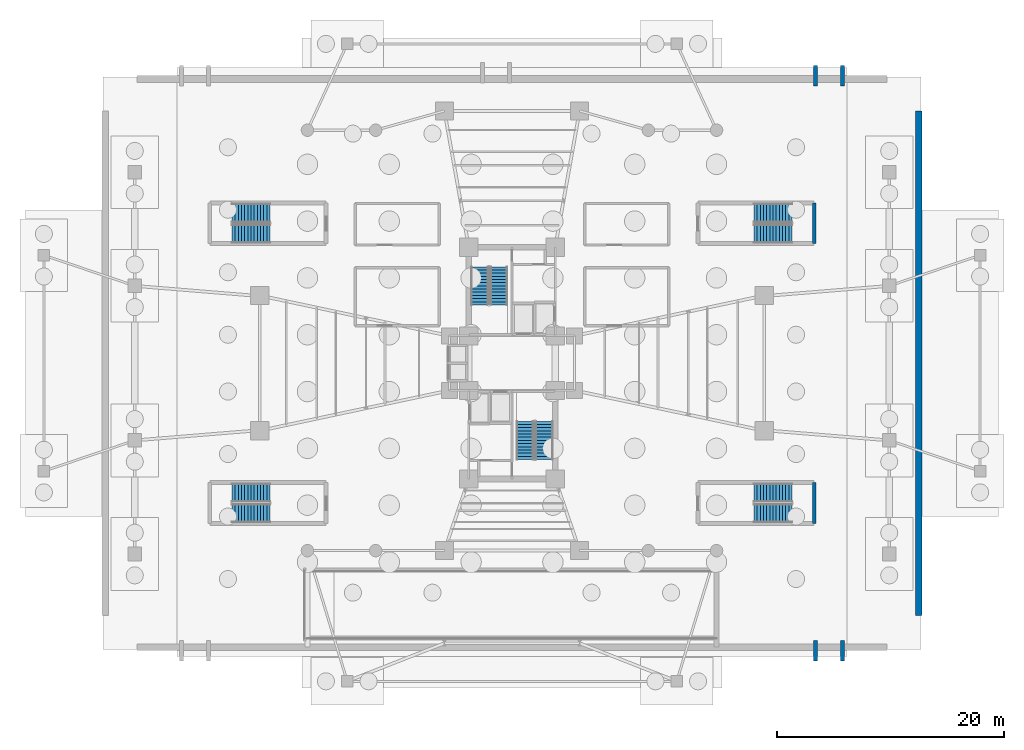
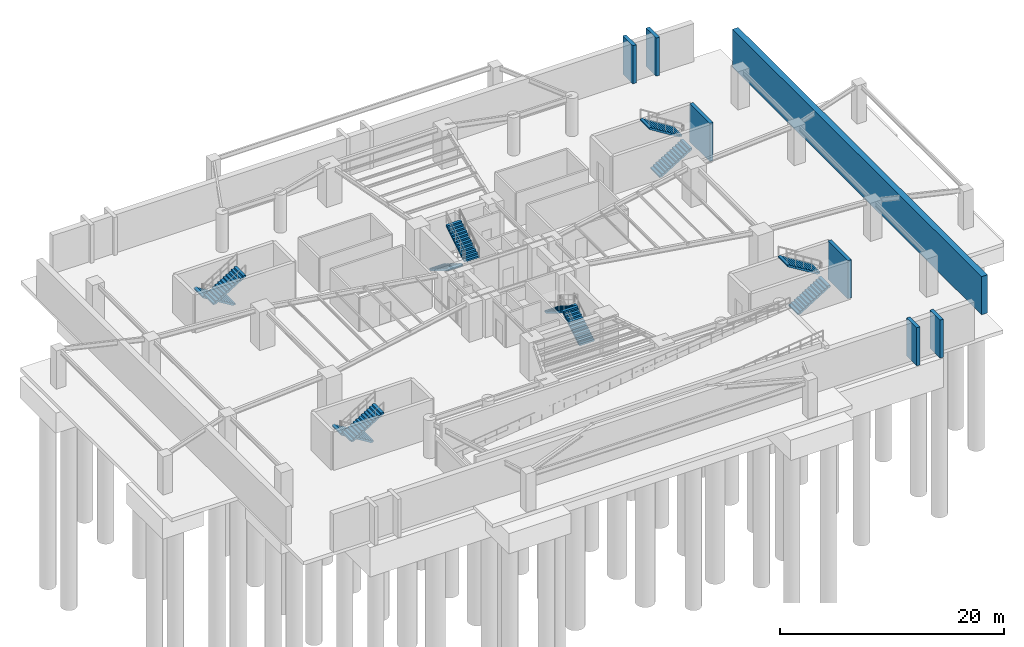
# One storey, part 10 of 15: 12 stair flights, 7 walls, 6 elements without a shape of their own.
"""IFC4 building model written with IfcOpenShell, lengths in metres."""

from ifc_helpers import new_model, si_unit, direction, frame, frame_2d, origin, place, context, subcontext, project, spatial, polyline, rectangle, outline, extrude, material, layer, layer_set, type_object, element, aggregate, save


model = new_model("IFC4")

# Units and contexts
model_context = context("Model", 3, precision=1e-05, world=origin(), true_north=direction((0.0, 1.0)))
body_context = subcontext(model_context, "Body", "Model", "MODEL_VIEW")
ifc_project = project(units=[si_unit("LENGTHUNIT", "METRE"), si_unit("AREAUNIT", "SQUARE_METRE"), si_unit("VOLUMEUNIT", "CUBIC_METRE"), si_unit("PLANEANGLEUNIT", "RADIAN"), si_unit("MASSUNIT", "GRAM", prefix="KILO")], contexts=[model_context])

# Site, building, storey
site_placement = place(None, origin())
site = spatial("IfcSite", under=ifc_project, at=site_placement, CompositionType="ELEMENT")
building_placement = place(site_placement, origin())
building = spatial("IfcBuilding", under=site, at=building_placement, Name="Sahyath Konkavel Grand Hotel", CompositionType="ELEMENT")
storey_placement = place(building_placement, frame((0.0, 0.0, -9.0)))
storey = spatial("IfcBuildingStorey", under=building, at=storey_placement, Name="B2", CompositionType="ELEMENT", Elevation=-9.0)

# Walls
ifc_material_1 = material(Name="Concrete C50/60", Category="concrete")
ifc_layer_1 = layer(ifc_material_1, 0.60009765625)
ifc_layer_set_1 = layer_set([ifc_layer_1], Name="Concrete C50/60")
wall_type_1 = type_object("IfcWallType", Name="BWALL-600", PredefinedType="SOLIDWALL", material=ifc_layer_set_1)
wall_placement = place(storey_placement, frame((35.800048828125, -22.199951171875, 0.0), z_axis=(0.0, 0.0, 1.0), x_axis=(0.0, 1.0, 0.0)))
element("IfcWall", 1, at=wall_placement, inside=storey, type_object=wall_type_1, Name="B2 Perimeter Retaining Wall E", PredefinedType="SOLIDWALL", context=body_context, shape_type="SweptSolid", body=[
    extrude(rectangle(XDim=44.39990234375, YDim=0.60009765625, at=frame_2d((22.199951171875, 0.0))), origin(), (0.0, 0.0, 1.0), 4.14990234375),
])
ifc_material_2 = material(Name="Concrete C40/50", Category="concrete")
ifc_layer_2 = layer(ifc_material_2, 0.35009765625)
ifc_layer_set_2 = layer_set([ifc_layer_2], Name="Concrete C40/50")
wall_type_2 = type_object("IfcWallType", Name="CWALL-350", PredefinedType="SHEAR", material=ifc_layer_set_2)
for number, where, z_axis, x_axis, name in (
    (2, (26.699951171875, 24.39990234375, 0.0), (0.0, 0.0, 1.0), (0.0, 1.0, 0.0), "B2 Pedestrian Ramp Bearing Wall PR2-A"),
    (3, (29.10009765625, 24.39990234375, 0.0), (0.0, 0.0, 1.0), (0.0, 1.0, 0.0), "B2 Pedestrian Ramp Bearing Wall PR2-B"),
    (4, (26.699951171875, -26.199951171875, 0.0), (0.0, 0.0, 1.0), (0.0, 1.0, 0.0), "B2 Pedestrian Ramp Bearing Wall PR4-A"),
    (5, (29.10009765625, -26.199951171875, 0.0), (0.0, 0.0, 1.0), (0.0, 1.0, 0.0), "B2 Pedestrian Ramp Bearing Wall PR4-B"),
):
    element("IfcWall", number, at=place(storey_placement, frame(where, z_axis=z_axis, x_axis=x_axis)), inside=storey, type_object=wall_type_2, Name=name, PredefinedType="SHEAR", context=body_context, shape_type="SweptSolid", body=[
        extrude(rectangle(XDim=1.800048828125, YDim=0.35009765625, at=frame_2d((0.89990234375, 0.0))), origin(), (0.0, 0.0, 1.0), 4.14990234375),
    ])
for number, where, z_axis, x_axis, name in (
    (6, (26.60009765625, 10.52001953125, 0.0), (0.0, 0.0, 1.0), (0.0, 1.0, 0.0), "B2 Partition ST-P2-E"),
    (7, (26.60009765625, -14.10009765625, 0.0), (0.0, 0.0, 1.0), (0.0, 1.0, 0.0), "B2 Partition ST-P4-E"),
):
    element("IfcWall", number, at=place(storey_placement, frame(where, z_axis=z_axis, x_axis=x_axis)), inside=storey, type_object=wall_type_2, Name=name, PredefinedType="SHEAR", context=body_context, shape_type="SweptSolid", body=[
        extrude(rectangle(XDim=3.580078125, YDim=0.35009765625, at=frame_2d((1.7900390625, 0.0))), origin(), (0.0, 0.0, 1.0), 4.14990234375),
    ])

# Stair, stair flights
stair_type = type_object("IfcStairType", Name="STR-ST16-450", PredefinedType="HALF_TURN_STAIR", material=ifc_material_2)
stair_1_placement = place(storey_placement, origin())
stair_1 = element("IfcStair", 8, at=stair_1_placement, inside=storey, type_object=stair_type, Name="B2 North Core Smokeproof Exit Stair ST-1", PredefinedType="HALF_TURN_STAIR")
stair_flight_type = type_object("IfcStairFlightType", Name="STF-ST16-450", PredefinedType="STRAIGHT", material=ifc_material_2)
stair_flight_1_placement = place(storey_placement, frame((-2.840087890625, 8.47998046875, 0.0), z_axis=(0.0, 0.0, 1.0), x_axis=(0.0, -1.0, 0.0)))
stair_flight_1 = element("IfcStairFlight", 9, at=stair_flight_1_placement, type_object=stair_flight_type, Name="ST-1 flight 1", NumberOfRisers=13, NumberOfTreads=12, PredefinedType="STRAIGHT", RiserHeight=0.173076923, TreadLength=0.28, context=body_context, shape_type="SweptSolid", body=[
    extrude(outline(polyline([(0.0, 0.0), (0.0, 0.173095703125), (0.280029296875, 0.173095703125), (0.280029296875, 0.34619140625), (0.56005859375, 0.34619140625), (0.56005859375, 0.519287109375), (0.840087890625, 0.519287109375), (0.840087890625, 0.6923828125), (1.1201171875, 0.6923828125), (1.1201171875, 0.865478515625), (1.39990234375, 0.865478515625), (1.39990234375, 1.03857421875), (1.679931640625, 1.03857421875), (1.679931640625, 1.21142578125), (1.9599609375, 1.21142578125), (1.9599609375, 1.384521484375), (2.239990234375, 1.384521484375), (2.239990234375, 1.5576171875), (2.52001953125, 1.5576171875), (2.52001953125, 1.730712890625), (2.800048828125, 1.730712890625), (2.800048828125, 1.90380859375), (3.080078125, 1.90380859375), (3.080078125, 2.076904296875), (3.360107421875, 2.076904296875), (3.360107421875, 2.25), (3.360107421875, 1.900634765625), (0.28515625, 0.0), (0.0, 0.0)])), frame((0.0, 0.760009765625, 0.0), z_axis=(0.0, -1.0, 0.0), x_axis=(1.0, 0.0, 0.0)), (0.0, 0.0, 1.0), 1.52001953125),
])
stair_flight_2_placement = place(storey_placement, frame((-1.159912109375, 5.1201171875, 2.25), z_axis=(0.0, 0.0, 1.0), x_axis=(0.0, 1.0, 0.0)))
stair_flight_2 = element("IfcStairFlight", 10, at=stair_flight_2_placement, type_object=stair_flight_type, Name="ST-1 flight 2", NumberOfRisers=13, NumberOfTreads=12, PredefinedType="STRAIGHT", RiserHeight=0.173076923, TreadLength=0.28, context=body_context, shape_type="SweptSolid", body=[
    extrude(outline(polyline([(0.0, 0.0), (0.0, 0.173095703125), (0.280029296875, 0.173095703125), (0.280029296875, 0.34619140625), (0.56005859375, 0.34619140625), (0.56005859375, 0.519287109375), (0.840087890625, 0.519287109375), (0.840087890625, 0.6923828125), (1.1201171875, 0.6923828125), (1.1201171875, 0.865478515625), (1.39990234375, 0.865478515625), (1.39990234375, 1.03857421875), (1.679931640625, 1.03857421875), (1.679931640625, 1.21142578125), (1.9599609375, 1.21142578125), (1.9599609375, 1.384521484375), (2.239990234375, 1.384521484375), (2.239990234375, 1.5576171875), (2.52001953125, 1.5576171875), (2.52001953125, 1.730712890625), (2.800048828125, 1.730712890625), (2.800048828125, 1.90380859375), (3.080078125, 1.90380859375), (3.080078125, 2.076904296875), (3.360107421875, 2.076904296875), (3.360107421875, 2.25), (3.360107421875, 1.900634765625), (0.28515625, 0.0), (0.0, 0.0)])), frame((0.0, 0.760009765625, 0.0), z_axis=(0.0, -1.0, 0.0), x_axis=(1.0, 0.0, 0.0)), (0.0, 0.0, 1.0), 1.52001953125),
])
aggregate(stair_1, [stair_flight_1, stair_flight_2])

stair_2_placement = place(storey_placement, origin())
stair_2 = element("IfcStair", 11, at=stair_2_placement, inside=storey, type_object=stair_type, Name="B2 South Core Smokeproof Exit Stair ST-2", PredefinedType="HALF_TURN_STAIR")
stair_flight_3_placement = place(storey_placement, frame((2.840087890625, -8.47998046875, 0.0), z_axis=(0.0, 0.0, 1.0), x_axis=(0.0, 1.0, 0.0)))
stair_flight_3 = element("IfcStairFlight", 12, at=stair_flight_3_placement, type_object=stair_flight_type, Name="ST-2 flight 1", NumberOfRisers=13, NumberOfTreads=12, PredefinedType="STRAIGHT", RiserHeight=0.173076923, TreadLength=0.28, context=body_context, shape_type="SweptSolid", body=[
    extrude(outline(polyline([(0.0, 0.0), (0.0, 0.173095703125), (0.280029296875, 0.173095703125), (0.280029296875, 0.34619140625), (0.56005859375, 0.34619140625), (0.56005859375, 0.519287109375), (0.840087890625, 0.519287109375), (0.840087890625, 0.6923828125), (1.1201171875, 0.6923828125), (1.1201171875, 0.865478515625), (1.39990234375, 0.865478515625), (1.39990234375, 1.03857421875), (1.679931640625, 1.03857421875), (1.679931640625, 1.21142578125), (1.9599609375, 1.21142578125), (1.9599609375, 1.384521484375), (2.239990234375, 1.384521484375), (2.239990234375, 1.5576171875), (2.52001953125, 1.5576171875), (2.52001953125, 1.730712890625), (2.800048828125, 1.730712890625), (2.800048828125, 1.90380859375), (3.080078125, 1.90380859375), (3.080078125, 2.076904296875), (3.360107421875, 2.076904296875), (3.360107421875, 2.25), (3.360107421875, 1.900634765625), (0.28515625, 0.0), (0.0, 0.0)])), frame((0.0, 0.760009765625, 0.0), z_axis=(0.0, -1.0, 0.0), x_axis=(1.0, 0.0, 0.0)), (0.0, 0.0, 1.0), 1.52001953125),
])
stair_flight_4_placement = place(storey_placement, frame((1.159912109375, -5.1201171875, 2.25), z_axis=(0.0, 0.0, 1.0), x_axis=(0.0, -1.0, 0.0)))
stair_flight_4 = element("IfcStairFlight", 13, at=stair_flight_4_placement, type_object=stair_flight_type, Name="ST-2 flight 2", NumberOfRisers=13, NumberOfTreads=12, PredefinedType="STRAIGHT", RiserHeight=0.173076923, TreadLength=0.28, context=body_context, shape_type="SweptSolid", body=[
    extrude(outline(polyline([(0.0, 0.0), (0.0, 0.173095703125), (0.280029296875, 0.173095703125), (0.280029296875, 0.34619140625), (0.56005859375, 0.34619140625), (0.56005859375, 0.519287109375), (0.840087890625, 0.519287109375), (0.840087890625, 0.6923828125), (1.1201171875, 0.6923828125), (1.1201171875, 0.865478515625), (1.39990234375, 0.865478515625), (1.39990234375, 1.03857421875), (1.679931640625, 1.03857421875), (1.679931640625, 1.21142578125), (1.9599609375, 1.21142578125), (1.9599609375, 1.384521484375), (2.239990234375, 1.384521484375), (2.239990234375, 1.5576171875), (2.52001953125, 1.5576171875), (2.52001953125, 1.730712890625), (2.800048828125, 1.730712890625), (2.800048828125, 1.90380859375), (3.080078125, 1.90380859375), (3.080078125, 2.076904296875), (3.360107421875, 2.076904296875), (3.360107421875, 2.25), (3.360107421875, 1.900634765625), (0.28515625, 0.0), (0.0, 0.0)])), frame((0.0, 0.760009765625, 0.0), z_axis=(0.0, -1.0, 0.0), x_axis=(1.0, 0.0, 0.0)), (0.0, 0.0, 1.0), 1.52001953125),
])
aggregate(stair_2, [stair_flight_3, stair_flight_4])

stair_3_placement = place(storey_placement, origin())
stair_3 = element("IfcStair", 14, at=stair_3_placement, inside=storey, type_object=stair_type, Name="B2 Podium Protected Exit Stair ST-P1", PredefinedType="HALF_TURN_STAIR")
stair_flight_5_placement = place(storey_placement, frame((-21.2900390625, 13.215087890625, 0.0), z_axis=(0.0, 0.0, 1.0), x_axis=(-1.0, 0.0, 0.0)))
stair_flight_5 = element("IfcStairFlight", 15, at=stair_flight_5_placement, type_object=stair_flight_type, Name="ST-P1 flight 1", NumberOfRisers=13, NumberOfTreads=12, PredefinedType="STRAIGHT", RiserHeight=0.173076923, TreadLength=0.28, context=body_context, shape_type="SweptSolid", body=[
    extrude(outline(polyline([(0.0, 0.0), (0.0, 0.173095703125), (0.280029296875, 0.173095703125), (0.280029296875, 0.34619140625), (0.56005859375, 0.34619140625), (0.56005859375, 0.519287109375), (0.840087890625, 0.519287109375), (0.840087890625, 0.6923828125), (1.1201171875, 0.6923828125), (1.1201171875, 0.865478515625), (1.39990234375, 0.865478515625), (1.39990234375, 1.03857421875), (1.679931640625, 1.03857421875), (1.679931640625, 1.21142578125), (1.9599609375, 1.21142578125), (1.9599609375, 1.384521484375), (2.239990234375, 1.384521484375), (2.239990234375, 1.5576171875), (2.52001953125, 1.5576171875), (2.52001953125, 1.730712890625), (2.800048828125, 1.730712890625), (2.800048828125, 1.90380859375), (3.080078125, 1.90380859375), (3.080078125, 2.076904296875), (3.360107421875, 2.076904296875), (3.360107421875, 2.25), (3.360107421875, 1.900634765625), (0.28515625, 0.0), (0.0, 0.0)])), frame((0.0, 0.824951171875, 0.0), z_axis=(0.0, -1.0, 0.0), x_axis=(1.0, 0.0, 0.0)), (0.0, 0.0, 1.0), 1.64990234375),
])
stair_flight_6_placement = place(storey_placement, frame((-24.64990234375, 11.405029296875, 2.25), z_axis=(0.0, 0.0, 1.0), x_axis=(1.0, 0.0, 0.0)))
stair_flight_6 = element("IfcStairFlight", 16, at=stair_flight_6_placement, type_object=stair_flight_type, Name="ST-P1 flight 2", NumberOfRisers=13, NumberOfTreads=12, PredefinedType="STRAIGHT", RiserHeight=0.173076923, TreadLength=0.28, context=body_context, shape_type="SweptSolid", body=[
    extrude(outline(polyline([(0.0, 0.0), (0.0, 0.173095703125), (0.280029296875, 0.173095703125), (0.280029296875, 0.34619140625), (0.56005859375, 0.34619140625), (0.56005859375, 0.519287109375), (0.840087890625, 0.519287109375), (0.840087890625, 0.6923828125), (1.1201171875, 0.6923828125), (1.1201171875, 0.865478515625), (1.39990234375, 0.865478515625), (1.39990234375, 1.03857421875), (1.679931640625, 1.03857421875), (1.679931640625, 1.21142578125), (1.9599609375, 1.21142578125), (1.9599609375, 1.384521484375), (2.239990234375, 1.384521484375), (2.239990234375, 1.5576171875), (2.52001953125, 1.5576171875), (2.52001953125, 1.730712890625), (2.800048828125, 1.730712890625), (2.800048828125, 1.90380859375), (3.080078125, 1.90380859375), (3.080078125, 2.076904296875), (3.360107421875, 2.076904296875), (3.360107421875, 2.25), (3.360107421875, 1.900634765625), (0.28515625, 0.0), (0.0, 0.0)])), frame((0.0, 0.824951171875, 0.0), z_axis=(0.0, -1.0, 0.0), x_axis=(1.0, 0.0, 0.0)), (0.0, 0.0, 1.0), 1.64990234375),
])
aggregate(stair_3, [stair_flight_5, stair_flight_6])

stair_4_placement = place(storey_placement, origin())
stair_4 = element("IfcStair", 17, at=stair_4_placement, inside=storey, type_object=stair_type, Name="B2 Podium Protected Exit Stair ST-P2", PredefinedType="HALF_TURN_STAIR")
stair_flight_7_placement = place(storey_placement, frame((21.2900390625, 11.405029296875, 0.0), z_axis=(0.0, 0.0, 1.0), x_axis=(1.0, 0.0, 0.0)))
stair_flight_7 = element("IfcStairFlight", 18, at=stair_flight_7_placement, type_object=stair_flight_type, Name="ST-P2 flight 1", NumberOfRisers=13, NumberOfTreads=12, PredefinedType="STRAIGHT", RiserHeight=0.173076923, TreadLength=0.28, context=body_context, shape_type="SweptSolid", body=[
    extrude(outline(polyline([(0.0, 0.0), (0.0, 0.173095703125), (0.280029296875, 0.173095703125), (0.280029296875, 0.34619140625), (0.56005859375, 0.34619140625), (0.56005859375, 0.519287109375), (0.840087890625, 0.519287109375), (0.840087890625, 0.6923828125), (1.1201171875, 0.6923828125), (1.1201171875, 0.865478515625), (1.39990234375, 0.865478515625), (1.39990234375, 1.03857421875), (1.679931640625, 1.03857421875), (1.679931640625, 1.21142578125), (1.9599609375, 1.21142578125), (1.9599609375, 1.384521484375), (2.239990234375, 1.384521484375), (2.239990234375, 1.5576171875), (2.52001953125, 1.5576171875), (2.52001953125, 1.730712890625), (2.800048828125, 1.730712890625), (2.800048828125, 1.90380859375), (3.080078125, 1.90380859375), (3.080078125, 2.076904296875), (3.360107421875, 2.076904296875), (3.360107421875, 2.25), (3.360107421875, 1.900634765625), (0.28515625, 0.0), (0.0, 0.0)])), frame((0.0, 0.824951171875, 0.0), z_axis=(0.0, -1.0, 0.0), x_axis=(1.0, 0.0, 0.0)), (0.0, 0.0, 1.0), 1.64990234375),
])
stair_flight_8_placement = place(storey_placement, frame((24.64990234375, 13.215087890625, 2.25), z_axis=(0.0, 0.0, 1.0), x_axis=(-1.0, 0.0, 0.0)))
stair_flight_8 = element("IfcStairFlight", 19, at=stair_flight_8_placement, type_object=stair_flight_type, Name="ST-P2 flight 2", NumberOfRisers=13, NumberOfTreads=12, PredefinedType="STRAIGHT", RiserHeight=0.173076923, TreadLength=0.28, context=body_context, shape_type="SweptSolid", body=[
    extrude(outline(polyline([(0.0, 0.0), (0.0, 0.173095703125), (0.280029296875, 0.173095703125), (0.280029296875, 0.34619140625), (0.56005859375, 0.34619140625), (0.56005859375, 0.519287109375), (0.840087890625, 0.519287109375), (0.840087890625, 0.6923828125), (1.1201171875, 0.6923828125), (1.1201171875, 0.865478515625), (1.39990234375, 0.865478515625), (1.39990234375, 1.03857421875), (1.679931640625, 1.03857421875), (1.679931640625, 1.21142578125), (1.9599609375, 1.21142578125), (1.9599609375, 1.384521484375), (2.239990234375, 1.384521484375), (2.239990234375, 1.5576171875), (2.52001953125, 1.5576171875), (2.52001953125, 1.730712890625), (2.800048828125, 1.730712890625), (2.800048828125, 1.90380859375), (3.080078125, 1.90380859375), (3.080078125, 2.076904296875), (3.360107421875, 2.076904296875), (3.360107421875, 2.25), (3.360107421875, 1.900634765625), (0.28515625, 0.0), (0.0, 0.0)])), frame((0.0, 0.824951171875, 0.0), z_axis=(0.0, -1.0, 0.0), x_axis=(1.0, 0.0, 0.0)), (0.0, 0.0, 1.0), 1.64990234375),
])
aggregate(stair_4, [stair_flight_7, stair_flight_8])

stair_5_placement = place(storey_placement, origin())
stair_5 = element("IfcStair", 20, at=stair_5_placement, inside=storey, type_object=stair_type, Name="B2 Podium Protected Exit Stair ST-P3", PredefinedType="HALF_TURN_STAIR")
stair_flight_9_placement = place(storey_placement, frame((-21.2900390625, -11.405029296875, 0.0), z_axis=(0.0, 0.0, 1.0), x_axis=(-1.0, 0.0, 0.0)))
stair_flight_9 = element("IfcStairFlight", 21, at=stair_flight_9_placement, type_object=stair_flight_type, Name="ST-P3 flight 1", NumberOfRisers=13, NumberOfTreads=12, PredefinedType="STRAIGHT", RiserHeight=0.173076923, TreadLength=0.28, context=body_context, shape_type="SweptSolid", body=[
    extrude(outline(polyline([(0.0, 0.0), (0.0, 0.173095703125), (0.280029296875, 0.173095703125), (0.280029296875, 0.34619140625), (0.56005859375, 0.34619140625), (0.56005859375, 0.519287109375), (0.840087890625, 0.519287109375), (0.840087890625, 0.6923828125), (1.1201171875, 0.6923828125), (1.1201171875, 0.865478515625), (1.39990234375, 0.865478515625), (1.39990234375, 1.03857421875), (1.679931640625, 1.03857421875), (1.679931640625, 1.21142578125), (1.9599609375, 1.21142578125), (1.9599609375, 1.384521484375), (2.239990234375, 1.384521484375), (2.239990234375, 1.5576171875), (2.52001953125, 1.5576171875), (2.52001953125, 1.730712890625), (2.800048828125, 1.730712890625), (2.800048828125, 1.90380859375), (3.080078125, 1.90380859375), (3.080078125, 2.076904296875), (3.360107421875, 2.076904296875), (3.360107421875, 2.25), (3.360107421875, 1.900634765625), (0.28515625, 0.0), (0.0, 0.0)])), frame((0.0, 0.824951171875, 0.0), z_axis=(0.0, -1.0, 0.0), x_axis=(1.0, 0.0, 0.0)), (0.0, 0.0, 1.0), 1.64990234375),
])
stair_flight_10_placement = place(storey_placement, frame((-24.64990234375, -13.215087890625, 2.25), z_axis=(0.0, 0.0, 1.0), x_axis=(1.0, 0.0, 0.0)))
stair_flight_10 = element("IfcStairFlight", 22, at=stair_flight_10_placement, type_object=stair_flight_type, Name="ST-P3 flight 2", NumberOfRisers=13, NumberOfTreads=12, PredefinedType="STRAIGHT", RiserHeight=0.173076923, TreadLength=0.28, context=body_context, shape_type="SweptSolid", body=[
    extrude(outline(polyline([(0.0, 0.0), (0.0, 0.173095703125), (0.280029296875, 0.173095703125), (0.280029296875, 0.34619140625), (0.56005859375, 0.34619140625), (0.56005859375, 0.519287109375), (0.840087890625, 0.519287109375), (0.840087890625, 0.6923828125), (1.1201171875, 0.6923828125), (1.1201171875, 0.865478515625), (1.39990234375, 0.865478515625), (1.39990234375, 1.03857421875), (1.679931640625, 1.03857421875), (1.679931640625, 1.21142578125), (1.9599609375, 1.21142578125), (1.9599609375, 1.384521484375), (2.239990234375, 1.384521484375), (2.239990234375, 1.5576171875), (2.52001953125, 1.5576171875), (2.52001953125, 1.730712890625), (2.800048828125, 1.730712890625), (2.800048828125, 1.90380859375), (3.080078125, 1.90380859375), (3.080078125, 2.076904296875), (3.360107421875, 2.076904296875), (3.360107421875, 2.25), (3.360107421875, 1.900634765625), (0.28515625, 0.0), (0.0, 0.0)])), frame((0.0, 0.824951171875, 0.0), z_axis=(0.0, -1.0, 0.0), x_axis=(1.0, 0.0, 0.0)), (0.0, 0.0, 1.0), 1.64990234375),
])
aggregate(stair_5, [stair_flight_9, stair_flight_10])

stair_6_placement = place(storey_placement, origin())
stair_6 = element("IfcStair", 23, at=stair_6_placement, inside=storey, type_object=stair_type, Name="B2 Podium Protected Exit Stair ST-P4", PredefinedType="HALF_TURN_STAIR")
stair_flight_11_placement = place(storey_placement, frame((21.2900390625, -13.215087890625, 0.0), z_axis=(0.0, 0.0, 1.0), x_axis=(1.0, 0.0, 0.0)))
stair_flight_11 = element("IfcStairFlight", 24, at=stair_flight_11_placement, type_object=stair_flight_type, Name="ST-P4 flight 1", NumberOfRisers=13, NumberOfTreads=12, PredefinedType="STRAIGHT", RiserHeight=0.173076923, TreadLength=0.28, context=body_context, shape_type="SweptSolid", body=[
    extrude(outline(polyline([(0.0, 0.0), (0.0, 0.173095703125), (0.280029296875, 0.173095703125), (0.280029296875, 0.34619140625), (0.56005859375, 0.34619140625), (0.56005859375, 0.519287109375), (0.840087890625, 0.519287109375), (0.840087890625, 0.6923828125), (1.1201171875, 0.6923828125), (1.1201171875, 0.865478515625), (1.39990234375, 0.865478515625), (1.39990234375, 1.03857421875), (1.679931640625, 1.03857421875), (1.679931640625, 1.21142578125), (1.9599609375, 1.21142578125), (1.9599609375, 1.384521484375), (2.239990234375, 1.384521484375), (2.239990234375, 1.5576171875), (2.52001953125, 1.5576171875), (2.52001953125, 1.730712890625), (2.800048828125, 1.730712890625), (2.800048828125, 1.90380859375), (3.080078125, 1.90380859375), (3.080078125, 2.076904296875), (3.360107421875, 2.076904296875), (3.360107421875, 2.25), (3.360107421875, 1.900634765625), (0.28515625, 0.0), (0.0, 0.0)])), frame((0.0, 0.824951171875, 0.0), z_axis=(0.0, -1.0, 0.0), x_axis=(1.0, 0.0, 0.0)), (0.0, 0.0, 1.0), 1.64990234375),
])
stair_flight_12_placement = place(storey_placement, frame((24.64990234375, -11.405029296875, 2.25), z_axis=(0.0, 0.0, 1.0), x_axis=(-1.0, 0.0, 0.0)))
stair_flight_12 = element("IfcStairFlight", 25, at=stair_flight_12_placement, type_object=stair_flight_type, Name="ST-P4 flight 2", NumberOfRisers=13, NumberOfTreads=12, PredefinedType="STRAIGHT", RiserHeight=0.173076923, TreadLength=0.28, context=body_context, shape_type="SweptSolid", body=[
    extrude(outline(polyline([(0.0, 0.0), (0.0, 0.173095703125), (0.280029296875, 0.173095703125), (0.280029296875, 0.34619140625), (0.56005859375, 0.34619140625), (0.56005859375, 0.519287109375), (0.840087890625, 0.519287109375), (0.840087890625, 0.6923828125), (1.1201171875, 0.6923828125), (1.1201171875, 0.865478515625), (1.39990234375, 0.865478515625), (1.39990234375, 1.03857421875), (1.679931640625, 1.03857421875), (1.679931640625, 1.21142578125), (1.9599609375, 1.21142578125), (1.9599609375, 1.384521484375), (2.239990234375, 1.384521484375), (2.239990234375, 1.5576171875), (2.52001953125, 1.5576171875), (2.52001953125, 1.730712890625), (2.800048828125, 1.730712890625), (2.800048828125, 1.90380859375), (3.080078125, 1.90380859375), (3.080078125, 2.076904296875), (3.360107421875, 2.076904296875), (3.360107421875, 2.25), (3.360107421875, 1.900634765625), (0.28515625, 0.0), (0.0, 0.0)])), frame((0.0, 0.824951171875, 0.0), z_axis=(0.0, -1.0, 0.0), x_axis=(1.0, 0.0, 0.0)), (0.0, 0.0, 1.0), 1.64990234375),
])
aggregate(stair_6, [stair_flight_11, stair_flight_12])

save(model, "model.ifc")
